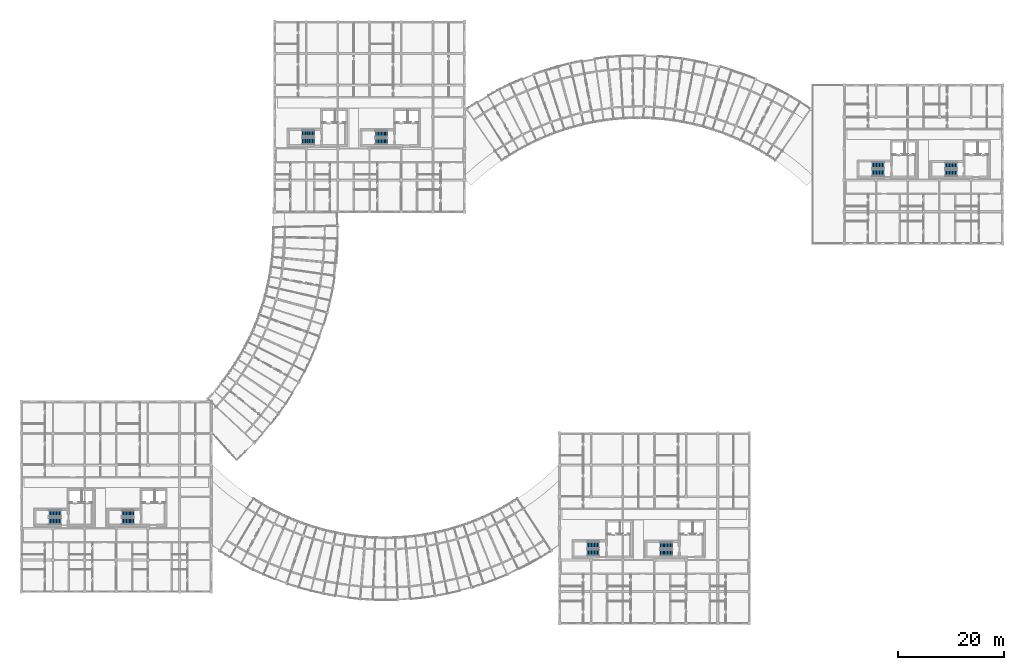
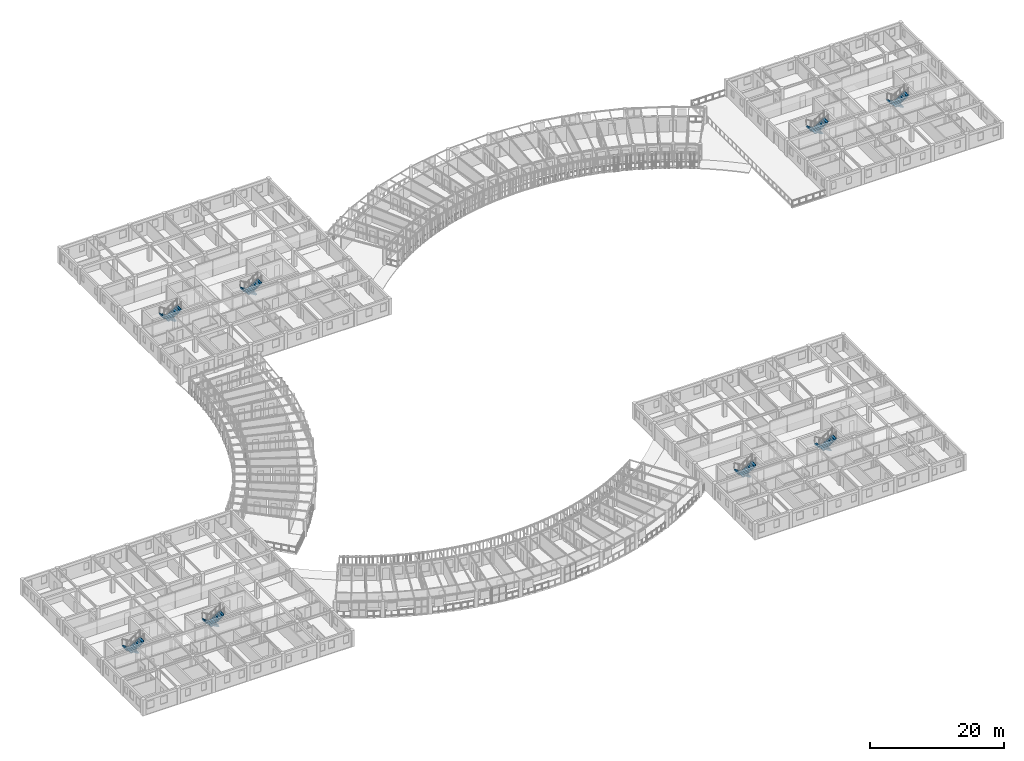
# One storey, part 83 of 101: 16 stair flights, 8 elements without a shape of their own.
"""IFC4 building model written with IfcOpenShell, lengths in metres."""

from ifc_helpers import new_model, si_unit, direction, frame, origin, place, context, subcontext, project, spatial, polyline, outline, extrude, material, type_object, element, aggregate, save


model = new_model("IFC4")

# Units and contexts
model_context = context("Model", 3, precision=1e-05, world=origin(), true_north=direction((0.0, 1.0)))
body_context = subcontext(model_context, "Body", "Model", "MODEL_VIEW")
ifc_project = project(units=[si_unit("LENGTHUNIT", "METRE"), si_unit("AREAUNIT", "SQUARE_METRE"), si_unit("VOLUMEUNIT", "CUBIC_METRE"), si_unit("PLANEANGLEUNIT", "RADIAN"), si_unit("MASSUNIT", "GRAM", prefix="KILO"), si_unit("POWERUNIT", "WATT"), si_unit("THERMODYNAMICTEMPERATUREUNIT", "KELVIN")], contexts=[model_context])

# Site, building, storey
site_placement = place(None, origin())
site = spatial("IfcSite", under=ifc_project, at=site_placement, CompositionType="ELEMENT")
building_placement = place(site_placement, origin())
building = spatial("IfcBuilding", under=site, at=building_placement, Name="Ruvembo Vaulted Housing Court", CompositionType="ELEMENT")
storey_placement = place(building_placement, frame((0.0, 0.0, 17.300048828125)))
storey = spatial("IfcBuildingStorey", under=building, at=storey_placement, Name="L05", CompositionType="ELEMENT", Elevation=17.300048828125)

# Stair, stair flights
ifc_material = material(Name="Concrete C35/45", Category="concrete")
stair_type_1 = type_object("IfcStairType", Name="STR-CORE-1200", PredefinedType="HALF_TURN_STAIR", material=ifc_material)
stair_1_placement = place(storey_placement, origin())
stair_1 = element("IfcStair", 1, at=stair_1_placement, inside=storey, type_object=stair_type_1, Name="L05 Protected Exit Stair ST-B2", PredefinedType="HALF_TURN_STAIR")
stair_flight_type_1 = type_object("IfcStairFlightType", Name="SFL-1200", PredefinedType="STRAIGHT", material=ifc_material)
stair_flight_1_placement = place(storey_placement, frame((69.35009765625, 92.75, 0.0), z_axis=(0.0, 0.0, 1.0), x_axis=(-1.0, 0.0, 0.0)))
stair_flight_1 = element("IfcStairFlight", 2, at=stair_flight_1_placement, type_object=stair_flight_type_1, Name="ST-B2 flight 1", NumberOfRisers=9, NumberOfTreads=8, PredefinedType="STRAIGHT", RiserHeight=0.177777778, TreadLength=0.28, context=body_context, shape_type="SweptSolid", body=[
    extrude(outline(polyline([(-0.02490234375, -0.0400390625), (-0.02490234375, 0.0), (0.0, 0.0), (0.0, 0.177734375), (0.280029296875, 0.177734375), (0.280029296875, 0.35546875), (0.56005859375, 0.35546875), (0.56005859375, 0.533447265625), (0.840087890625, 0.533447265625), (0.840087890625, 0.711181640625), (1.1201171875, 0.711181640625), (1.1201171875, 0.888916015625), (1.39990234375, 0.888916015625), (1.39990234375, 1.066650390625), (1.679931640625, 1.066650390625), (1.679931640625, 1.244384765625), (1.9599609375, 1.244384765625), (1.9599609375, 1.422119140625), (2.239990234375, 1.422119140625), (2.239990234375, 1.60009765625), (2.264892578125, 1.60009765625), (2.264892578125, 1.4501953125), (2.239990234375, 1.24462890625), (0.27978515625, 0.0), (0.0, -0.0400390625), (-0.02490234375, -0.0400390625)])), frame((0.0, 0.60009765625, 0.0), z_axis=(0.0, -1.0, 0.0), x_axis=(1.0, 0.0, 0.0)), (0.0, 0.0, 1.0), 1.199951171875),
])
stair_flight_2_placement = place(storey_placement, frame((67.110107421875, 91.35009765625, 1.599853515625), z_axis=(0.0, 0.0, 1.0), x_axis=(1.0, 0.0, 0.0)))
stair_flight_2 = element("IfcStairFlight", 3, at=stair_flight_2_placement, type_object=stair_flight_type_1, Name="ST-B2 flight 2", NumberOfRisers=9, NumberOfTreads=8, PredefinedType="STRAIGHT", RiserHeight=0.177777778, TreadLength=0.28, context=body_context, shape_type="SweptSolid", body=[
    extrude(outline(polyline([(-0.02490234375, -0.0400390625), (-0.02490234375, 0.0), (0.0, 0.0), (0.0, 0.177734375), (0.280029296875, 0.177734375), (0.280029296875, 0.35546875), (0.56005859375, 0.35546875), (0.56005859375, 0.533447265625), (0.840087890625, 0.533447265625), (0.840087890625, 0.711181640625), (1.1201171875, 0.711181640625), (1.1201171875, 0.888916015625), (1.39990234375, 0.888916015625), (1.39990234375, 1.066650390625), (1.679931640625, 1.066650390625), (1.679931640625, 1.244384765625), (1.9599609375, 1.244384765625), (1.9599609375, 1.422119140625), (2.239990234375, 1.422119140625), (2.239990234375, 1.60009765625), (2.264892578125, 1.60009765625), (2.264892578125, 1.4501953125), (2.239990234375, 1.24462890625), (0.27978515625, 0.0), (0.0, -0.0400390625), (-0.02490234375, -0.0400390625)])), frame((0.0, 0.60009765625, 0.0), z_axis=(0.0, -1.0, 0.0), x_axis=(1.0, 0.0, 0.0)), (0.0, 0.0, 1.0), 1.199951171875),
])
aggregate(stair_1, [stair_flight_1, stair_flight_2])

stair_2_placement = place(storey_placement, origin())
stair_2 = element("IfcStair", 4, at=stair_2_placement, inside=storey, type_object=stair_type_1, Name="L05 Protected Exit Stair ST-C2", PredefinedType="HALF_TURN_STAIR")
stair_flight_3_placement = place(storey_placement, frame((123.35009765625, 14.75, 0.0), z_axis=(0.0, 0.0, 1.0), x_axis=(-1.0, 0.0, 0.0)))
stair_flight_3 = element("IfcStairFlight", 5, at=stair_flight_3_placement, type_object=stair_flight_type_1, Name="ST-C2 flight 1", NumberOfRisers=9, NumberOfTreads=8, PredefinedType="STRAIGHT", RiserHeight=0.177777778, TreadLength=0.28, context=body_context, shape_type="SweptSolid", body=[
    extrude(outline(polyline([(-0.02490234375, -0.0400390625), (-0.02490234375, 0.0), (0.0, 0.0), (0.0, 0.177734375), (0.280029296875, 0.177734375), (0.280029296875, 0.35546875), (0.56005859375, 0.35546875), (0.56005859375, 0.533447265625), (0.840087890625, 0.533447265625), (0.840087890625, 0.711181640625), (1.1201171875, 0.711181640625), (1.1201171875, 0.888916015625), (1.39990234375, 0.888916015625), (1.39990234375, 1.066650390625), (1.679931640625, 1.066650390625), (1.679931640625, 1.244384765625), (1.9599609375, 1.244384765625), (1.9599609375, 1.422119140625), (2.239990234375, 1.422119140625), (2.239990234375, 1.60009765625), (2.264892578125, 1.60009765625), (2.264892578125, 1.4501953125), (2.239990234375, 1.24462890625), (0.27978515625, 0.0), (0.0, -0.0400390625), (-0.02490234375, -0.0400390625)])), frame((0.0, 0.60009765625, 0.0), z_axis=(0.0, -1.0, 0.0), x_axis=(1.0, 0.0, 0.0)), (0.0, 0.0, 1.0), 1.199951171875),
])
stair_flight_4_placement = place(storey_placement, frame((121.110107421875, 13.35009765625, 1.599853515625), z_axis=(0.0, 0.0, 1.0), x_axis=(1.0, 0.0, 0.0)))
stair_flight_4 = element("IfcStairFlight", 6, at=stair_flight_4_placement, type_object=stair_flight_type_1, Name="ST-C2 flight 2", NumberOfRisers=9, NumberOfTreads=8, PredefinedType="STRAIGHT", RiserHeight=0.177777778, TreadLength=0.28, context=body_context, shape_type="SweptSolid", body=[
    extrude(outline(polyline([(-0.02490234375, -0.0400390625), (-0.02490234375, 0.0), (0.0, 0.0), (0.0, 0.177734375), (0.280029296875, 0.177734375), (0.280029296875, 0.35546875), (0.56005859375, 0.35546875), (0.56005859375, 0.533447265625), (0.840087890625, 0.533447265625), (0.840087890625, 0.711181640625), (1.1201171875, 0.711181640625), (1.1201171875, 0.888916015625), (1.39990234375, 0.888916015625), (1.39990234375, 1.066650390625), (1.679931640625, 1.066650390625), (1.679931640625, 1.244384765625), (1.9599609375, 1.244384765625), (1.9599609375, 1.422119140625), (2.239990234375, 1.422119140625), (2.239990234375, 1.60009765625), (2.264892578125, 1.60009765625), (2.264892578125, 1.4501953125), (2.239990234375, 1.24462890625), (0.27978515625, 0.0), (0.0, -0.0400390625), (-0.02490234375, -0.0400390625)])), frame((0.0, 0.60009765625, 0.0), z_axis=(0.0, -1.0, 0.0), x_axis=(1.0, 0.0, 0.0)), (0.0, 0.0, 1.0), 1.199951171875),
])
aggregate(stair_2, [stair_flight_3, stair_flight_4])

stair_3_placement = place(storey_placement, origin())
stair_3 = element("IfcStair", 7, at=stair_3_placement, inside=storey, type_object=stair_type_1, Name="L05 Protected Exit Stair ST-D2", PredefinedType="HALF_TURN_STAIR")
stair_flight_5_placement = place(storey_placement, frame((177.35009765625, 86.75, 0.0), z_axis=(0.0, 0.0, 1.0), x_axis=(-1.0, 0.0, 0.0)))
stair_flight_5 = element("IfcStairFlight", 8, at=stair_flight_5_placement, type_object=stair_flight_type_1, Name="ST-D2 flight 1", NumberOfRisers=9, NumberOfTreads=8, PredefinedType="STRAIGHT", RiserHeight=0.177777778, TreadLength=0.28, context=body_context, shape_type="SweptSolid", body=[
    extrude(outline(polyline([(-0.02490234375, -0.0400390625), (-0.02490234375, 0.0), (0.0, 0.0), (0.0, 0.177734375), (0.280029296875, 0.177734375), (0.280029296875, 0.35546875), (0.56005859375, 0.35546875), (0.56005859375, 0.533447265625), (0.840087890625, 0.533447265625), (0.840087890625, 0.711181640625), (1.1201171875, 0.711181640625), (1.1201171875, 0.888916015625), (1.39990234375, 0.888916015625), (1.39990234375, 1.066650390625), (1.679931640625, 1.066650390625), (1.679931640625, 1.244384765625), (1.9599609375, 1.244384765625), (1.9599609375, 1.422119140625), (2.239990234375, 1.422119140625), (2.239990234375, 1.60009765625), (2.264892578125, 1.60009765625), (2.264892578125, 1.4501953125), (2.239990234375, 1.24462890625), (0.27978515625, 0.0), (0.0, -0.0400390625), (-0.02490234375, -0.0400390625)])), frame((0.0, 0.60009765625, 0.0), z_axis=(0.0, -1.0, 0.0), x_axis=(1.0, 0.0, 0.0)), (0.0, 0.0, 1.0), 1.199951171875),
])
stair_flight_6_placement = place(storey_placement, frame((175.110107421875, 85.35009765625, 1.599853515625), z_axis=(0.0, 0.0, 1.0), x_axis=(1.0, 0.0, 0.0)))
stair_flight_6 = element("IfcStairFlight", 9, at=stair_flight_6_placement, type_object=stair_flight_type_1, Name="ST-D2 flight 2", NumberOfRisers=9, NumberOfTreads=8, PredefinedType="STRAIGHT", RiserHeight=0.177777778, TreadLength=0.28, context=body_context, shape_type="SweptSolid", body=[
    extrude(outline(polyline([(-0.02490234375, -0.0400390625), (-0.02490234375, 0.0), (0.0, 0.0), (0.0, 0.177734375), (0.280029296875, 0.177734375), (0.280029296875, 0.35546875), (0.56005859375, 0.35546875), (0.56005859375, 0.533447265625), (0.840087890625, 0.533447265625), (0.840087890625, 0.711181640625), (1.1201171875, 0.711181640625), (1.1201171875, 0.888916015625), (1.39990234375, 0.888916015625), (1.39990234375, 1.066650390625), (1.679931640625, 1.066650390625), (1.679931640625, 1.244384765625), (1.9599609375, 1.244384765625), (1.9599609375, 1.422119140625), (2.239990234375, 1.422119140625), (2.239990234375, 1.60009765625), (2.264892578125, 1.60009765625), (2.264892578125, 1.4501953125), (2.239990234375, 1.24462890625), (0.27978515625, 0.0), (0.0, -0.0400390625), (-0.02490234375, -0.0400390625)])), frame((0.0, 0.60009765625, 0.0), z_axis=(0.0, -1.0, 0.0), x_axis=(1.0, 0.0, 0.0)), (0.0, 0.0, 1.0), 1.199951171875),
])
aggregate(stair_3, [stair_flight_5, stair_flight_6])

stair_type_2 = type_object("IfcStairType", Name="STR-CORE-1250", PredefinedType="HALF_TURN_STAIR", material=ifc_material)
stair_4_placement = place(storey_placement, origin())
stair_4 = element("IfcStair", 10, at=stair_4_placement, inside=storey, type_object=stair_type_2, Name="L05 Protected Exit Stair ST-A1", PredefinedType="HALF_TURN_STAIR")
stair_flight_type_2 = type_object("IfcStairFlightType", Name="SFL-1250", PredefinedType="STRAIGHT", material=ifc_material)
stair_flight_7_placement = place(storey_placement, frame((7.5, 20.824951171875, 0.0), z_axis=(0.0, 0.0, 1.0), x_axis=(-1.0, 0.0, 0.0)))
stair_flight_7 = element("IfcStairFlight", 11, at=stair_flight_7_placement, type_object=stair_flight_type_2, Name="ST-A1 flight 1", NumberOfRisers=9, NumberOfTreads=8, PredefinedType="STRAIGHT", RiserHeight=0.177777778, TreadLength=0.28, context=body_context, shape_type="SweptSolid", body=[
    extrude(outline(polyline([(-0.02490234375, -0.0400390625), (-0.02490234375, 0.0), (0.0, 0.0), (0.0, 0.177734375), (0.280029296875, 0.177734375), (0.280029296875, 0.35546875), (0.56005859375, 0.35546875), (0.56005859375, 0.533447265625), (0.840087890625, 0.533447265625), (0.840087890625, 0.711181640625), (1.1201171875, 0.711181640625), (1.1201171875, 0.888916015625), (1.39990234375, 0.888916015625), (1.39990234375, 1.066650390625), (1.679931640625, 1.066650390625), (1.679931640625, 1.244384765625), (1.9599609375, 1.244384765625), (1.9599609375, 1.422119140625), (2.239990234375, 1.422119140625), (2.239990234375, 1.60009765625), (2.264892578125, 1.60009765625), (2.264892578125, 1.4501953125), (2.239990234375, 1.24462890625), (0.27978515625, 0.0), (0.0, -0.0400390625), (-0.02490234375, -0.0400390625)])), frame((0.0, 0.625, 0.0), z_axis=(0.0, -1.0, 0.0), x_axis=(1.0, 0.0, 0.0)), (0.0, 0.0, 1.0), 1.25),
])
stair_flight_8_placement = place(storey_placement, frame((5.260009765625, 19.375, 1.599853515625), z_axis=(0.0, 0.0, 1.0), x_axis=(1.0, 0.0, 0.0)))
stair_flight_8 = element("IfcStairFlight", 12, at=stair_flight_8_placement, type_object=stair_flight_type_2, Name="ST-A1 flight 2", NumberOfRisers=9, NumberOfTreads=8, PredefinedType="STRAIGHT", RiserHeight=0.177777778, TreadLength=0.28, context=body_context, shape_type="SweptSolid", body=[
    extrude(outline(polyline([(-0.02490234375, -0.0400390625), (-0.02490234375, 0.0), (0.0, 0.0), (0.0, 0.177734375), (0.280029296875, 0.177734375), (0.280029296875, 0.35546875), (0.56005859375, 0.35546875), (0.56005859375, 0.533447265625), (0.840087890625, 0.533447265625), (0.840087890625, 0.711181640625), (1.1201171875, 0.711181640625), (1.1201171875, 0.888916015625), (1.39990234375, 0.888916015625), (1.39990234375, 1.066650390625), (1.679931640625, 1.066650390625), (1.679931640625, 1.244384765625), (1.9599609375, 1.244384765625), (1.9599609375, 1.422119140625), (2.239990234375, 1.422119140625), (2.239990234375, 1.60009765625), (2.264892578125, 1.60009765625), (2.264892578125, 1.4501953125), (2.239990234375, 1.24462890625), (0.27978515625, 0.0), (0.0, -0.0400390625), (-0.02490234375, -0.0400390625)])), frame((0.0, 0.625, 0.0), z_axis=(0.0, -1.0, 0.0), x_axis=(1.0, 0.0, 0.0)), (0.0, 0.0, 1.0), 1.25),
])
aggregate(stair_4, [stair_flight_7, stair_flight_8])

stair_5_placement = place(storey_placement, origin())
stair_5 = element("IfcStair", 13, at=stair_5_placement, inside=storey, type_object=stair_type_2, Name="L05 Protected Exit Stair ST-A2", PredefinedType="HALF_TURN_STAIR")
stair_flight_9_placement = place(storey_placement, frame((21.300048828125, 20.824951171875, 0.0), z_axis=(0.0, 0.0, 1.0), x_axis=(-1.0, 0.0, 0.0)))
stair_flight_9 = element("IfcStairFlight", 14, at=stair_flight_9_placement, type_object=stair_flight_type_2, Name="ST-A2 flight 1", NumberOfRisers=9, NumberOfTreads=8, PredefinedType="STRAIGHT", RiserHeight=0.177777778, TreadLength=0.28, context=body_context, shape_type="SweptSolid", body=[
    extrude(outline(polyline([(-0.02490234375, -0.0400390625), (-0.02490234375, 0.0), (0.0, 0.0), (0.0, 0.177734375), (0.280029296875, 0.177734375), (0.280029296875, 0.35546875), (0.56005859375, 0.35546875), (0.56005859375, 0.533447265625), (0.840087890625, 0.533447265625), (0.840087890625, 0.711181640625), (1.1201171875, 0.711181640625), (1.1201171875, 0.888916015625), (1.39990234375, 0.888916015625), (1.39990234375, 1.066650390625), (1.679931640625, 1.066650390625), (1.679931640625, 1.244384765625), (1.9599609375, 1.244384765625), (1.9599609375, 1.422119140625), (2.239990234375, 1.422119140625), (2.239990234375, 1.60009765625), (2.264892578125, 1.60009765625), (2.264892578125, 1.4501953125), (2.239990234375, 1.24462890625), (0.27978515625, 0.0), (0.0, -0.0400390625), (-0.02490234375, -0.0400390625)])), frame((0.0, 0.625, 0.0), z_axis=(0.0, -1.0, 0.0), x_axis=(1.0, 0.0, 0.0)), (0.0, 0.0, 1.0), 1.25),
])
stair_flight_10_placement = place(storey_placement, frame((19.06005859375, 19.375, 1.599853515625), z_axis=(0.0, 0.0, 1.0), x_axis=(1.0, 0.0, 0.0)))
stair_flight_10 = element("IfcStairFlight", 15, at=stair_flight_10_placement, type_object=stair_flight_type_2, Name="ST-A2 flight 2", NumberOfRisers=9, NumberOfTreads=8, PredefinedType="STRAIGHT", RiserHeight=0.177777778, TreadLength=0.28, context=body_context, shape_type="SweptSolid", body=[
    extrude(outline(polyline([(-0.02490234375, -0.0400390625), (-0.02490234375, 0.0), (0.0, 0.0), (0.0, 0.177734375), (0.280029296875, 0.177734375), (0.280029296875, 0.35546875), (0.56005859375, 0.35546875), (0.56005859375, 0.533447265625), (0.840087890625, 0.533447265625), (0.840087890625, 0.711181640625), (1.1201171875, 0.711181640625), (1.1201171875, 0.888916015625), (1.39990234375, 0.888916015625), (1.39990234375, 1.066650390625), (1.679931640625, 1.066650390625), (1.679931640625, 1.244384765625), (1.9599609375, 1.244384765625), (1.9599609375, 1.422119140625), (2.239990234375, 1.422119140625), (2.239990234375, 1.60009765625), (2.264892578125, 1.60009765625), (2.264892578125, 1.4501953125), (2.239990234375, 1.24462890625), (0.27978515625, 0.0), (0.0, -0.0400390625), (-0.02490234375, -0.0400390625)])), frame((0.0, 0.625, 0.0), z_axis=(0.0, -1.0, 0.0), x_axis=(1.0, 0.0, 0.0)), (0.0, 0.0, 1.0), 1.25),
])
aggregate(stair_5, [stair_flight_9, stair_flight_10])

stair_6_placement = place(storey_placement, origin())
stair_6 = element("IfcStair", 16, at=stair_6_placement, inside=storey, type_object=stair_type_2, Name="L05 Protected Exit Stair ST-B1", PredefinedType="HALF_TURN_STAIR")
stair_flight_11_placement = place(storey_placement, frame((55.5, 92.824951171875, 0.0), z_axis=(0.0, 0.0, 1.0), x_axis=(-1.0, 0.0, 0.0)))
stair_flight_11 = element("IfcStairFlight", 17, at=stair_flight_11_placement, type_object=stair_flight_type_2, Name="ST-B1 flight 1", NumberOfRisers=9, NumberOfTreads=8, PredefinedType="STRAIGHT", RiserHeight=0.177777778, TreadLength=0.28, context=body_context, shape_type="SweptSolid", body=[
    extrude(outline(polyline([(-0.02490234375, -0.0400390625), (-0.02490234375, 0.0), (0.0, 0.0), (0.0, 0.177734375), (0.280029296875, 0.177734375), (0.280029296875, 0.35546875), (0.56005859375, 0.35546875), (0.56005859375, 0.533447265625), (0.840087890625, 0.533447265625), (0.840087890625, 0.711181640625), (1.1201171875, 0.711181640625), (1.1201171875, 0.888916015625), (1.39990234375, 0.888916015625), (1.39990234375, 1.066650390625), (1.679931640625, 1.066650390625), (1.679931640625, 1.244384765625), (1.9599609375, 1.244384765625), (1.9599609375, 1.422119140625), (2.239990234375, 1.422119140625), (2.239990234375, 1.60009765625), (2.264892578125, 1.60009765625), (2.264892578125, 1.4501953125), (2.239990234375, 1.24462890625), (0.27978515625, 0.0), (0.0, -0.0400390625), (-0.02490234375, -0.0400390625)])), frame((0.0, 0.625, 0.0), z_axis=(0.0, -1.0, 0.0), x_axis=(1.0, 0.0, 0.0)), (0.0, 0.0, 1.0), 1.25),
])
stair_flight_12_placement = place(storey_placement, frame((53.260009765625, 91.375, 1.599853515625), z_axis=(0.0, 0.0, 1.0), x_axis=(1.0, 0.0, 0.0)))
stair_flight_12 = element("IfcStairFlight", 18, at=stair_flight_12_placement, type_object=stair_flight_type_2, Name="ST-B1 flight 2", NumberOfRisers=9, NumberOfTreads=8, PredefinedType="STRAIGHT", RiserHeight=0.177777778, TreadLength=0.28, context=body_context, shape_type="SweptSolid", body=[
    extrude(outline(polyline([(-0.02490234375, -0.0400390625), (-0.02490234375, 0.0), (0.0, 0.0), (0.0, 0.177734375), (0.280029296875, 0.177734375), (0.280029296875, 0.35546875), (0.56005859375, 0.35546875), (0.56005859375, 0.533447265625), (0.840087890625, 0.533447265625), (0.840087890625, 0.711181640625), (1.1201171875, 0.711181640625), (1.1201171875, 0.888916015625), (1.39990234375, 0.888916015625), (1.39990234375, 1.066650390625), (1.679931640625, 1.066650390625), (1.679931640625, 1.244384765625), (1.9599609375, 1.244384765625), (1.9599609375, 1.422119140625), (2.239990234375, 1.422119140625), (2.239990234375, 1.60009765625), (2.264892578125, 1.60009765625), (2.264892578125, 1.4501953125), (2.239990234375, 1.24462890625), (0.27978515625, 0.0), (0.0, -0.0400390625), (-0.02490234375, -0.0400390625)])), frame((0.0, 0.625, 0.0), z_axis=(0.0, -1.0, 0.0), x_axis=(1.0, 0.0, 0.0)), (0.0, 0.0, 1.0), 1.25),
])
aggregate(stair_6, [stair_flight_11, stair_flight_12])

stair_7_placement = place(storey_placement, origin())
stair_7 = element("IfcStair", 19, at=stair_7_placement, inside=storey, type_object=stair_type_2, Name="L05 Protected Exit Stair ST-C1", PredefinedType="HALF_TURN_STAIR")
stair_flight_13_placement = place(storey_placement, frame((109.5, 14.824951171875, 0.0), z_axis=(0.0, 0.0, 1.0), x_axis=(-1.0, 0.0, 0.0)))
stair_flight_13 = element("IfcStairFlight", 20, at=stair_flight_13_placement, type_object=stair_flight_type_2, Name="ST-C1 flight 1", NumberOfRisers=9, NumberOfTreads=8, PredefinedType="STRAIGHT", RiserHeight=0.177777778, TreadLength=0.28, context=body_context, shape_type="SweptSolid", body=[
    extrude(outline(polyline([(-0.02490234375, -0.0400390625), (-0.02490234375, 0.0), (0.0, 0.0), (0.0, 0.177734375), (0.280029296875, 0.177734375), (0.280029296875, 0.35546875), (0.56005859375, 0.35546875), (0.56005859375, 0.533447265625), (0.840087890625, 0.533447265625), (0.840087890625, 0.711181640625), (1.1201171875, 0.711181640625), (1.1201171875, 0.888916015625), (1.39990234375, 0.888916015625), (1.39990234375, 1.066650390625), (1.679931640625, 1.066650390625), (1.679931640625, 1.244384765625), (1.9599609375, 1.244384765625), (1.9599609375, 1.422119140625), (2.239990234375, 1.422119140625), (2.239990234375, 1.60009765625), (2.264892578125, 1.60009765625), (2.264892578125, 1.4501953125), (2.239990234375, 1.24462890625), (0.27978515625, 0.0), (0.0, -0.0400390625), (-0.02490234375, -0.0400390625)])), frame((0.0, 0.625, 0.0), z_axis=(0.0, -1.0, 0.0), x_axis=(1.0, 0.0, 0.0)), (0.0, 0.0, 1.0), 1.25),
])
stair_flight_14_placement = place(storey_placement, frame((107.260009765625, 13.375, 1.599853515625), z_axis=(0.0, 0.0, 1.0), x_axis=(1.0, 0.0, 0.0)))
stair_flight_14 = element("IfcStairFlight", 21, at=stair_flight_14_placement, type_object=stair_flight_type_2, Name="ST-C1 flight 2", NumberOfRisers=9, NumberOfTreads=8, PredefinedType="STRAIGHT", RiserHeight=0.177777778, TreadLength=0.28, context=body_context, shape_type="SweptSolid", body=[
    extrude(outline(polyline([(-0.02490234375, -0.0400390625), (-0.02490234375, 0.0), (0.0, 0.0), (0.0, 0.177734375), (0.280029296875, 0.177734375), (0.280029296875, 0.35546875), (0.56005859375, 0.35546875), (0.56005859375, 0.533447265625), (0.840087890625, 0.533447265625), (0.840087890625, 0.711181640625), (1.1201171875, 0.711181640625), (1.1201171875, 0.888916015625), (1.39990234375, 0.888916015625), (1.39990234375, 1.066650390625), (1.679931640625, 1.066650390625), (1.679931640625, 1.244384765625), (1.9599609375, 1.244384765625), (1.9599609375, 1.422119140625), (2.239990234375, 1.422119140625), (2.239990234375, 1.60009765625), (2.264892578125, 1.60009765625), (2.264892578125, 1.4501953125), (2.239990234375, 1.24462890625), (0.27978515625, 0.0), (0.0, -0.0400390625), (-0.02490234375, -0.0400390625)])), frame((0.0, 0.625, 0.0), z_axis=(0.0, -1.0, 0.0), x_axis=(1.0, 0.0, 0.0)), (0.0, 0.0, 1.0), 1.25),
])
aggregate(stair_7, [stair_flight_13, stair_flight_14])

stair_8_placement = place(storey_placement, origin())
stair_8 = element("IfcStair", 22, at=stair_8_placement, inside=storey, type_object=stair_type_2, Name="L05 Protected Exit Stair ST-D1", PredefinedType="HALF_TURN_STAIR")
stair_flight_15_placement = place(storey_placement, frame((163.5, 86.824951171875, 0.0), z_axis=(0.0, 0.0, 1.0), x_axis=(-1.0, 0.0, 0.0)))
stair_flight_15 = element("IfcStairFlight", 23, at=stair_flight_15_placement, type_object=stair_flight_type_2, Name="ST-D1 flight 1", NumberOfRisers=9, NumberOfTreads=8, PredefinedType="STRAIGHT", RiserHeight=0.177777778, TreadLength=0.28, context=body_context, shape_type="SweptSolid", body=[
    extrude(outline(polyline([(-0.02490234375, -0.0400390625), (-0.02490234375, 0.0), (0.0, 0.0), (0.0, 0.177734375), (0.280029296875, 0.177734375), (0.280029296875, 0.35546875), (0.56005859375, 0.35546875), (0.56005859375, 0.533447265625), (0.840087890625, 0.533447265625), (0.840087890625, 0.711181640625), (1.1201171875, 0.711181640625), (1.1201171875, 0.888916015625), (1.39990234375, 0.888916015625), (1.39990234375, 1.066650390625), (1.679931640625, 1.066650390625), (1.679931640625, 1.244384765625), (1.9599609375, 1.244384765625), (1.9599609375, 1.422119140625), (2.239990234375, 1.422119140625), (2.239990234375, 1.60009765625), (2.264892578125, 1.60009765625), (2.264892578125, 1.4501953125), (2.239990234375, 1.24462890625), (0.27978515625, 0.0), (0.0, -0.0400390625), (-0.02490234375, -0.0400390625)])), frame((0.0, 0.625, 0.0), z_axis=(0.0, -1.0, 0.0), x_axis=(1.0, 0.0, 0.0)), (0.0, 0.0, 1.0), 1.25),
])
stair_flight_16_placement = place(storey_placement, frame((161.260009765625, 85.375, 1.599853515625), z_axis=(0.0, 0.0, 1.0), x_axis=(1.0, 0.0, 0.0)))
stair_flight_16 = element("IfcStairFlight", 24, at=stair_flight_16_placement, type_object=stair_flight_type_2, Name="ST-D1 flight 2", NumberOfRisers=9, NumberOfTreads=8, PredefinedType="STRAIGHT", RiserHeight=0.177777778, TreadLength=0.28, context=body_context, shape_type="SweptSolid", body=[
    extrude(outline(polyline([(-0.02490234375, -0.0400390625), (-0.02490234375, 0.0), (0.0, 0.0), (0.0, 0.177734375), (0.280029296875, 0.177734375), (0.280029296875, 0.35546875), (0.56005859375, 0.35546875), (0.56005859375, 0.533447265625), (0.840087890625, 0.533447265625), (0.840087890625, 0.711181640625), (1.1201171875, 0.711181640625), (1.1201171875, 0.888916015625), (1.39990234375, 0.888916015625), (1.39990234375, 1.066650390625), (1.679931640625, 1.066650390625), (1.679931640625, 1.244384765625), (1.9599609375, 1.244384765625), (1.9599609375, 1.422119140625), (2.239990234375, 1.422119140625), (2.239990234375, 1.60009765625), (2.264892578125, 1.60009765625), (2.264892578125, 1.4501953125), (2.239990234375, 1.24462890625), (0.27978515625, 0.0), (0.0, -0.0400390625), (-0.02490234375, -0.0400390625)])), frame((0.0, 0.625, 0.0), z_axis=(0.0, -1.0, 0.0), x_axis=(1.0, 0.0, 0.0)), (0.0, 0.0, 1.0), 1.25),
])
aggregate(stair_8, [stair_flight_15, stair_flight_16])

save(model, "model.ifc")
